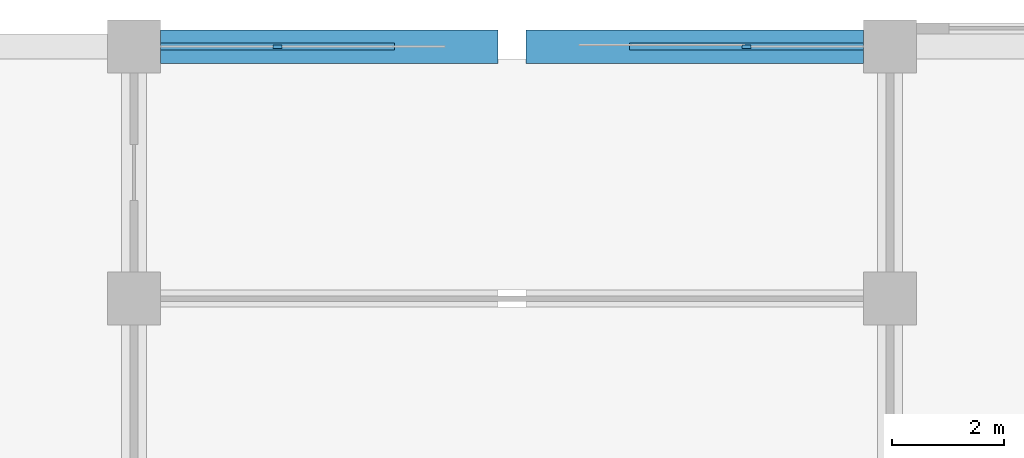
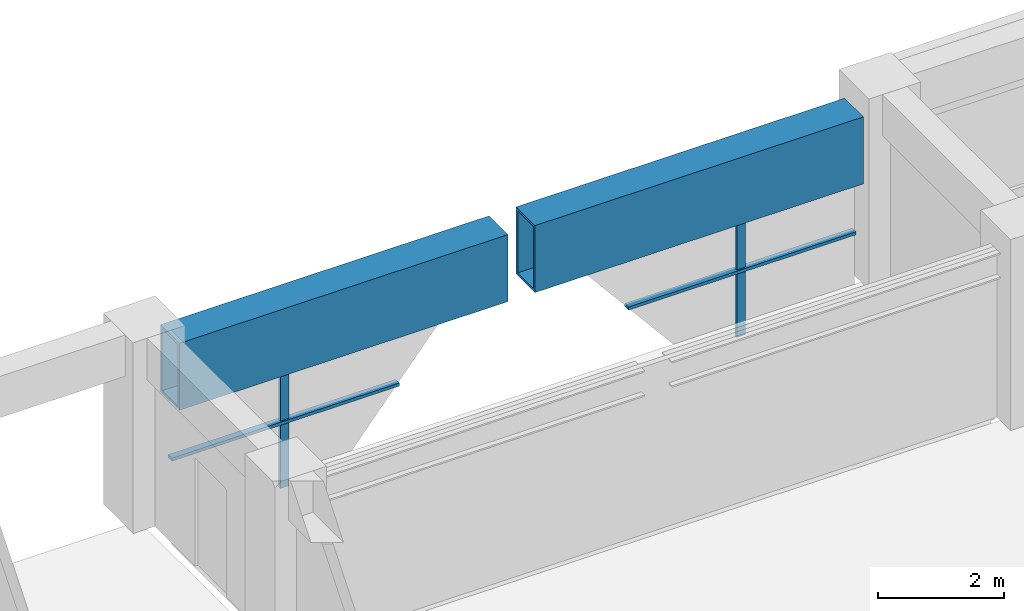
# One storey, part 4 of 14: 6 members, 2 elements without a shape of their own.
"""IFC4 building model written with IfcOpenShell, lengths in metres."""

from ifc_helpers import new_model, si_unit, direction, frame, origin, origin_2d, place, context, subcontext, project, spatial, rectangle, hollow_rectangle, extrude, material, material_profile, profile_set, type_object, element, aggregate, save


model = new_model("IFC4")

# Units and contexts
model_context = context("Model", 3, precision=1e-05, world=origin(), true_north=direction((0.0, 1.0)))
body_context = subcontext(model_context, "Body", "Model", "MODEL_VIEW")
ifc_project = project(units=[si_unit("LENGTHUNIT", "METRE"), si_unit("AREAUNIT", "SQUARE_METRE"), si_unit("VOLUMEUNIT", "CUBIC_METRE"), si_unit("PLANEANGLEUNIT", "RADIAN"), si_unit("MASSUNIT", "GRAM", prefix="KILO")], contexts=[model_context])

# Site, building, storey
site_placement = place(None, origin())
site = spatial("IfcSite", under=ifc_project, at=site_placement, CompositionType="ELEMENT")
building_placement = place(site_placement, origin())
building = spatial("IfcBuilding", under=site, at=building_placement, Name="Girih Gate Residences", CompositionType="ELEMENT")
storey_placement = place(building_placement, frame((0.0, 0.0, 172.60009765625)))
storey = spatial("IfcBuildingStorey", under=building, at=storey_placement, Name="L47", CompositionType="ELEMENT", Elevation=172.60009765625)

# Members
ifc_material_1 = material(Name="Steel S460", Category="steel")
ifc_material_profile_1 = material_profile(ifc_material_1, hollow_rectangle(XDim=0.60009765625, YDim=1.300048828125, WallThickness=0.050048828125, at=origin_2d()))
ifc_profile_set_1 = profile_set([ifc_material_profile_1], Name="Steel S460")
member_type_1 = type_object("IfcMemberType", Name="Bridge truss transfer chord BOX 1300x600x50 Steel S460", PredefinedType="CHORD", material=ifc_profile_set_1)
for number, where, z_axis, x_axis, name in (
    (1, (18.47509765625, 49.5, 2.599853515625), (1.0, 0.0, 0.0), (0.0, 1.0, 0.0), "Bridge truss chord at 49.5"),
    (2, (25.0, 49.5, 2.599853515625), (1.0, 0.0, 0.0), (0.0, 1.0, 0.0), "Bridge truss chord at 49.5"),
):
    element("IfcMember", number, at=place(storey_placement, frame(where, z_axis=z_axis, x_axis=x_axis)), inside=storey, type_object=member_type_1, Name=name, PredefinedType="CHORD", context=body_context, shape_type="SweptSolid", body=[
        extrude(hollow_rectangle(XDim=0.60009765625, YDim=1.300048828125, WallThickness=0.050048828125, at=origin_2d()), origin(), (0.0, 0.0, 1.0), 6.02490234375),
    ])

# Curtain wall, member
ifc_material_2 = material(Name="Aluminium curtain wall frame", Category="aluminium")
curtain_wall_type = type_object("IfcCurtainWallType", Name="Curtain wall CW-4 bridge glazing", PredefinedType="NOTDEFINED", material=ifc_material_2)
curtain_wall_1_placement = place(storey_placement, origin())
curtain_wall_1 = element("IfcCurtainWall", 3, at=curtain_wall_1_placement, inside=storey, type_object=curtain_wall_type, Name="CW-4 Bridge glazing N2", PredefinedType="NOTDEFINED")
ifc_material_profile_2 = material_profile(ifc_material_2, rectangle(XDim=0.06005859375, YDim=0.159912109375, at=origin_2d()))
ifc_profile_set_2 = profile_set([ifc_material_profile_2], Name="Aluminium curtain wall frame")
member_type_2 = type_object("IfcMemberType", Name="Curtain wall mullion 60x160", PredefinedType="MULLION", material=ifc_profile_set_2)
member_1_placement = place(storey_placement, frame((20.561767578125, 49.5, -0.43505859375), z_axis=(0.0, 0.0, 1.0), x_axis=(0.0, 1.0, 0.0)))
member_1 = element("IfcMember", 4, at=member_1_placement, type_object=member_type_2, Name="CW-4 mullion N2", PredefinedType="MULLION", context=body_context, shape_type="SweptSolid", body=[
    extrude(rectangle(XDim=0.06005859375, YDim=0.159912109375, at=origin_2d()), origin(), (0.0, 0.0, 1.0), 2.369873046875),
])

curtain_wall_2_placement = place(storey_placement, origin())
curtain_wall_2 = element("IfcCurtainWall", 5, at=curtain_wall_2_placement, inside=storey, type_object=curtain_wall_type, Name="CW-4 Bridge glazing N5", PredefinedType="NOTDEFINED")
member_2_placement = place(storey_placement, frame((28.938232421875, 49.5, -0.43505859375), z_axis=(0.0, 0.0, 1.0), x_axis=(0.0, 1.0, 0.0)))
member_2 = element("IfcMember", 6, at=member_2_placement, type_object=member_type_2, Name="CW-4 mullion N5", PredefinedType="MULLION", context=body_context, shape_type="SweptSolid", body=[
    extrude(rectangle(XDim=0.06005859375, YDim=0.159912109375, at=origin_2d()), origin(), (0.0, 0.0, 1.0), 2.369873046875),
])

# Member
ifc_material_profile_3 = material_profile(ifc_material_2, rectangle(XDim=0.1201171875, YDim=0.06005859375, at=origin_2d()))
ifc_profile_set_3 = profile_set([ifc_material_profile_3], Name="Aluminium curtain wall frame")
member_type_3 = type_object("IfcMemberType", Name="Curtain wall transom 60x120", PredefinedType="USERDEFINED", material=ifc_profile_set_3)
member_3_placement = place(storey_placement, frame((18.47509765625, 49.5, 0.84521484375), z_axis=(1.0, 0.0, 0.0), x_axis=(0.0, 1.0, 0.0)))
member_3 = element("IfcMember", 7, at=member_3_placement, type_object=member_type_3, Name="CW-4 transom N2", ObjectType="TRANSOM", PredefinedType="USERDEFINED", context=body_context, shape_type="SweptSolid", body=[
    extrude(rectangle(XDim=0.1201171875, YDim=0.06005859375, at=origin_2d()), origin(), (0.0, 0.0, 1.0), 4.17333984375),
])

aggregate(curtain_wall_1, [member_1, member_3])

member_4_placement = place(storey_placement, frame((26.8515625, 49.5, 0.84521484375), z_axis=(1.0, 0.0, 0.0), x_axis=(0.0, 1.0, 0.0)))
member_4 = element("IfcMember", 8, at=member_4_placement, type_object=member_type_3, Name="CW-4 transom N5", ObjectType="TRANSOM", PredefinedType="USERDEFINED", context=body_context, shape_type="SweptSolid", body=[
    extrude(rectangle(XDim=0.1201171875, YDim=0.06005859375, at=origin_2d()), origin(), (0.0, 0.0, 1.0), 4.17333984375),
])

aggregate(curtain_wall_2, [member_2, member_4])

save(model, "model.ifc")
